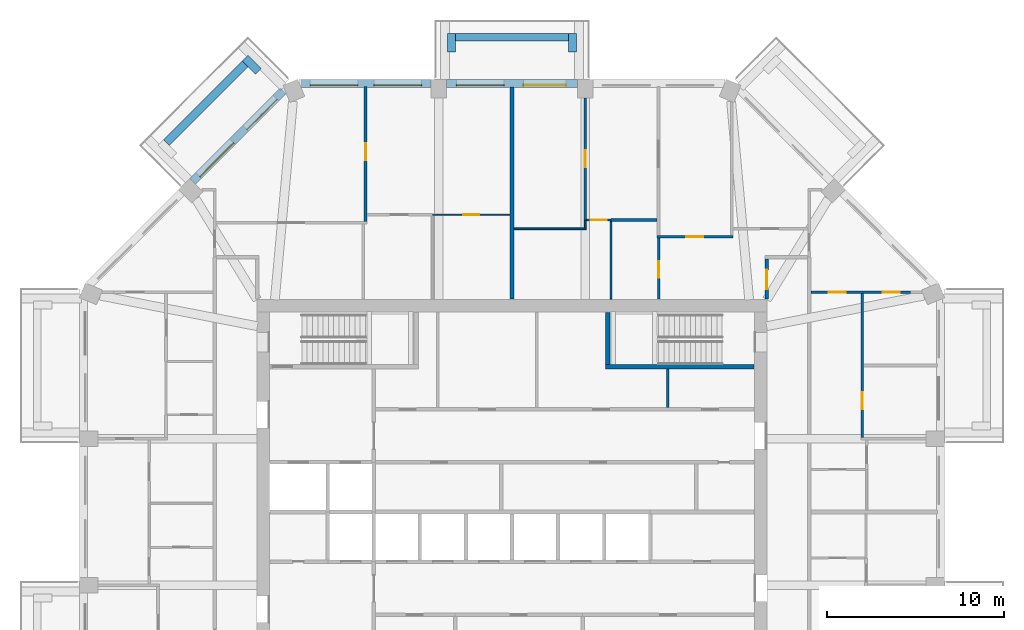
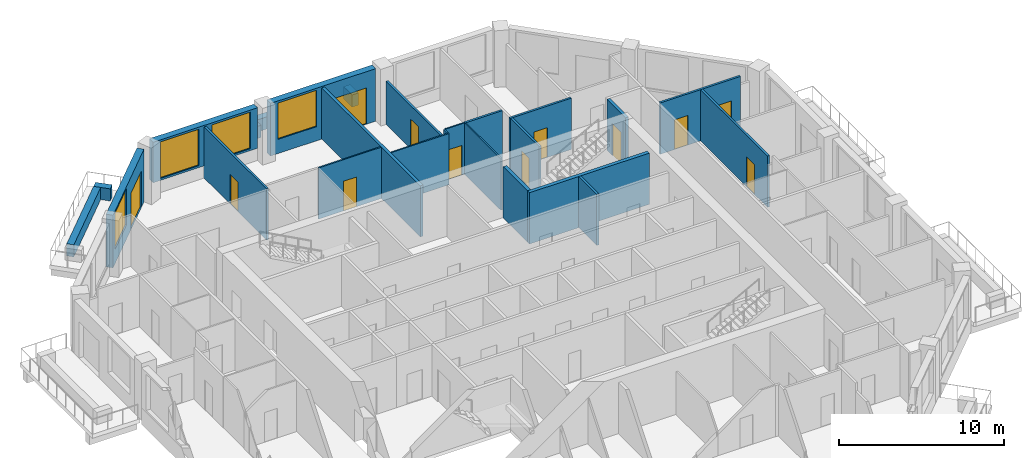
# One storey, part 8 of 12: 25 walls, 12 doors, 4 windows, 16 openings.
"""IFC4 building model written with IfcOpenShell, lengths in metres."""

from ifc_helpers import new_model, si_unit, direction, frame, frame_2d, origin, place, context, subcontext, project, spatial, rectangle, extrude, material, layer, layer_set, type_object, element, fill, save


model = new_model("IFC4")

# Units and contexts
model_context = context("Model", 3, precision=1e-05, world=origin(), true_north=direction((0.0, 1.0)))
body_context = subcontext(model_context, "Body", "Model", "MODEL_VIEW")
ifc_project = project(units=[si_unit("LENGTHUNIT", "METRE"), si_unit("AREAUNIT", "SQUARE_METRE"), si_unit("VOLUMEUNIT", "CUBIC_METRE"), si_unit("PLANEANGLEUNIT", "RADIAN"), si_unit("MASSUNIT", "GRAM", prefix="KILO")], contexts=[model_context])

# Site, building, storey
site_placement = place(None, origin())
site = spatial("IfcSite", under=ifc_project, at=site_placement, CompositionType="ELEMENT")
building_placement = place(site_placement, origin())
building = spatial("IfcBuilding", under=site, at=building_placement, Name="Msitu Wima Residences", CompositionType="ELEMENT")
storey_placement = place(building_placement, frame((0.0, 0.0, 200.10009765625)))
storey = spatial("IfcBuildingStorey", under=building, at=storey_placement, Name="L46", CompositionType="ELEMENT", Elevation=200.10009765625)

# Walls
ifc_material_1 = material(Name="Facing brick")
ifc_layer_1 = layer(ifc_material_1, 0.06494140625, Name="Facing brick")
ifc_material_2 = material(Name="Concrete C40/50", Category="concrete")
ifc_layer_2 = layer(ifc_material_2, 0.156005859375, Name="Concrete C40/50")
ifc_material_3 = material(Name="Waterproofing membrane")
ifc_layer_3 = layer(ifc_material_3, 0.00390625, Name="Waterproofing membrane")
ifc_material_4 = material(Name="Planting soil and planting")
ifc_layer_4 = layer(ifc_material_4, 0.22509765625, Name="Planting soil and planting")
ifc_layer_set_1 = layer_set([ifc_layer_1, ifc_layer_2, ifc_layer_3, ifc_layer_4], Name="Concrete C40/50")
wall_type_1 = type_object("IfcWallType", Name="Balcony planter PLANTER PL450", PredefinedType="USERDEFINED", material=ifc_layer_set_1)
wall_1_placement = place(storey_placement, frame((3.187255859375, 26.824951171875, 0.0), z_axis=(0.0, 0.0, 1.0), x_axis=(-1.0, 0.0, 0.0)))
element("IfcWall", 1, at=wall_1_placement, inside=storey, type_object=wall_type_1, Name="Balcony planter N1 L46", ObjectType="PLANTER", PredefinedType="USERDEFINED", context=body_context, shape_type="SweptSolid", body=[
    extrude(rectangle(XDim=6.37451171875, YDim=0.449951171875, at=frame_2d((3.187255859375, 0.0))), origin(), (0.0, 0.0, 1.0), 0.89990234375),
])
for number, where, z_axis, x_axis, name in (
    (2, (3.412353515625, 26.0, 0.0), (0.0, 0.0, 1.0), (0.0, 1.0, 0.0), "Balcony planter N1 L46"),
    (3, (-3.412353515625, 26.0, 0.0), (0.0, 0.0, 1.0), (0.0, 1.0, 0.0), "Balcony planter N1 L46"),
):
    element("IfcWall", number, at=place(storey_placement, frame(where, z_axis=z_axis, x_axis=x_axis)), inside=storey, type_object=wall_type_1, Name=name, ObjectType="PLANTER", PredefinedType="USERDEFINED", context=body_context, shape_type="SweptSolid", body=[
        extrude(rectangle(XDim=1.050048828125, YDim=0.449951171875, at=frame_2d((0.52490234375, 0.0))), origin(), (0.0, 0.0, 1.0), 0.89990234375),
    ])
wall_2_placement = place(storey_placement, frame((-15.0810546875, 25.325927734375, 0.0), z_axis=(0.0, 0.0, 1.0), x_axis=(-0.707106781187, -0.707106781187, 0.0)))
element("IfcWall", 4, at=wall_2_placement, inside=storey, type_object=wall_type_1, Name="Balcony planter NW0 L46", ObjectType="PLANTER", PredefinedType="USERDEFINED", context=body_context, shape_type="SweptSolid", body=[
    extrude(rectangle(XDim=6.294189453125, YDim=0.449951171875, at=frame_2d((3.14697265625, 0.0))), origin(), (0.0, 0.0, 1.0), 0.89990234375),
])
wall_3_placement = place(storey_placement, frame((-14.338623046875, 24.901611328125, 0.0), z_axis=(0.0, 0.0, 1.0), x_axis=(-0.707106781187, 0.707106781187, 0.0)))
element("IfcWall", 5, at=wall_3_placement, inside=storey, type_object=wall_type_1, Name="Balcony planter NW0 L46", ObjectType="PLANTER", PredefinedType="USERDEFINED", context=body_context, shape_type="SweptSolid", body=[
    extrude(rectangle(XDim=1.050048828125, YDim=0.449951171875, at=frame_2d((0.52490234375, 0.0))), origin(), (0.0, 0.0, 1.0), 0.89990234375),
])

# Wall, openings, door, window
ifc_material_5 = material(Name="Brick (red buff mix)", Category="masonry")
ifc_layer_5 = layer(ifc_material_5, 0.449951171875)
ifc_layer_set_2 = layer_set([ifc_layer_5], Name="Brick (red buff mix)")
wall_type_2 = type_object("IfcWallType", Name="Brick infill wall BW450", PredefinedType="SOLIDWALL", material=ifc_layer_set_2)
wall_4_placement = place(storey_placement, frame((3.687255859375, 24.22509765625, 0.0), z_axis=(0.0, 0.0, 1.0), x_axis=(-1.0, 0.0, 0.0)))
wall_4 = element("IfcWall", 6, at=wall_4_placement, inside=storey, type_object=wall_type_2, Name="Brick infill wall L46 N1", PredefinedType="SOLIDWALL", context=body_context, shape_type="SweptSolid", body=[
    extrude(rectangle(XDim=7.37451171875, YDim=0.449951171875, at=frame_2d((3.687255859375, 0.0))), origin(), (0.0, 0.0, 1.0), 3.89990234375),
])
opening_1_placement = place(wall_4_placement, frame((0.6435546875, 0.0, 0.0)))
opening_1 = element("IfcOpeningElement", 7, at=opening_1_placement, cuts=wall_4, Name="Opening D46.003", PredefinedType="OPENING", context=body_context, shape_type="SweptSolid", body=[
    extrude(rectangle(XDim=2.39990234375, YDim=2.699951171875, at=frame_2d((1.199951171875, 1.35009765625))), frame((0.0, 0.23486328125, 0.0), z_axis=(0.0, -1.0, 0.0), x_axis=(1.0, 0.0, 0.0)), (0.0, 0.0, 1.0), 0.469970703125),
])
opening_2_placement = place(wall_4_placement, frame((4.13720703125, 0.0, 1.050048828125)))
opening_2 = element("IfcOpeningElement", 8, at=opening_2_placement, cuts=wall_4, Name="Opening W46.007", PredefinedType="OPENING", context=body_context, shape_type="SweptSolid", body=[
    extrude(rectangle(XDim=2.699951171875, YDim=2.699951171875, at=frame_2d((1.35009765625, 1.35009765625))), frame((0.0, 0.23486328125, 0.0), z_axis=(0.0, -1.0, 0.0), x_axis=(1.0, 0.0, 0.0)), (0.0, 0.0, 1.0), 0.469970703125),
])
ifc_material_6 = material(Name="Anodised aluminium, bronze finish, clear low-emissivity double glazing", Category="aluminium")
door_type_1 = type_object("IfcDoorType", Name="Balcony door D2400x2700", OperationType="SLIDING_TO_LEFT", PredefinedType="DOOR", material=ifc_material_6)
door_1_placement = place(opening_1_placement, origin())
door_1 = element("IfcDoor", 9, at=door_1_placement, inside=storey, type_object=door_type_1, Name="Balcony door L46 N1", OperationType="SINGLE_SWING_LEFT", OverallHeight=2.699951171875, OverallWidth=2.39990234375, PredefinedType="DOOR", context=body_context, shape_type="SweptSolid", body=[
    extrude(rectangle(XDim=2.39990234375, YDim=2.699951171875, at=frame_2d((1.199951171875, 1.35009765625))), frame((0.0, 0.1298828125, 0.0), z_axis=(0.0, -1.0, 0.0), x_axis=(1.0, 0.0, 0.0)), (0.0, 0.0, 1.0), 0.050048828125),
])
fill(opening_1, door_1)
window_type = type_object("IfcWindowType", Name="Window W2700x2700", PartitioningType="DOUBLE_PANEL_VERTICAL", PredefinedType="WINDOW", material=ifc_material_6)
window_1_placement = place(opening_2_placement, origin())
window_1 = element("IfcWindow", 10, at=window_1_placement, inside=storey, type_object=window_type, Name="Window L46 N1.2", OverallHeight=2.699951171875, OverallWidth=2.699951171875, PartitioningType="SINGLE_PANEL", PredefinedType="WINDOW", context=body_context, shape_type="SweptSolid", body=[
    extrude(rectangle(XDim=2.699951171875, YDim=2.699951171875, at=frame_2d((1.35009765625, 1.35009765625))), frame((0.0, 0.135009765625, 0.0), z_axis=(0.0, -1.0, 0.0), x_axis=(1.0, 0.0, 0.0)), (0.0, 0.0, 1.0), 0.06005859375),
])
fill(opening_2, window_1)

# Wall, openings, windows
wall_5_placement = place(storey_placement, frame((-4.587158203125, 24.22509765625, 0.89990234375), z_axis=(0.0, 0.0, 1.0), x_axis=(-1.0, 0.0, 0.0)))
wall_5 = element("IfcWall", 11, at=wall_5_placement, inside=storey, type_object=wall_type_2, Name="Brick infill wall L46 N2", PredefinedType="SOLIDWALL", context=body_context, shape_type="SweptSolid", body=[
    extrude(rectangle(XDim=7.337646484375, YDim=0.449951171875, at=frame_2d((3.6689453125, 0.0))), origin(), (0.0, 0.0, 1.0), 3.0),
])
opening_3_placement = place(wall_5_placement, frame((0.518798828125, 0.0, 0.14990234375)))
opening_3 = element("IfcOpeningElement", 12, at=opening_3_placement, cuts=wall_5, Name="Opening W46.008", PredefinedType="OPENING", context=body_context, shape_type="SweptSolid", body=[
    extrude(rectangle(XDim=2.699951171875, YDim=2.699951171875, at=frame_2d((1.35009765625, 1.35009765625))), frame((0.0, 0.23486328125, 0.0), z_axis=(0.0, -1.0, 0.0), x_axis=(1.0, 0.0, 0.0)), (0.0, 0.0, 1.0), 0.469970703125),
])
opening_4_placement = place(wall_5_placement, frame((4.11865234375, 0.0, 0.14990234375)))
opening_4 = element("IfcOpeningElement", 13, at=opening_4_placement, cuts=wall_5, Name="Opening W46.009", PredefinedType="OPENING", context=body_context, shape_type="SweptSolid", body=[
    extrude(rectangle(XDim=2.699951171875, YDim=2.699951171875, at=frame_2d((1.35009765625, 1.35009765625))), frame((0.0, 0.23486328125, 0.0), z_axis=(0.0, -1.0, 0.0), x_axis=(1.0, 0.0, 0.0)), (0.0, 0.0, 1.0), 0.469970703125),
])
window_2_placement = place(opening_3_placement, origin())
window_2 = element("IfcWindow", 14, at=window_2_placement, inside=storey, type_object=window_type, Name="Window L46 N2.1", OverallHeight=2.699951171875, OverallWidth=2.699951171875, PartitioningType="SINGLE_PANEL", PredefinedType="WINDOW", context=body_context, shape_type="SweptSolid", body=[
    extrude(rectangle(XDim=2.699951171875, YDim=2.699951171875, at=frame_2d((1.35009765625, 1.35009765625))), frame((0.0, 0.135009765625, 0.0), z_axis=(0.0, -1.0, 0.0), x_axis=(1.0, 0.0, 0.0)), (0.0, 0.0, 1.0), 0.06005859375),
])
fill(opening_3, window_2)
window_3_placement = place(opening_4_placement, origin())
window_3 = element("IfcWindow", 15, at=window_3_placement, inside=storey, type_object=window_type, Name="Window L46 N2.2", OverallHeight=2.699951171875, OverallWidth=2.699951171875, PartitioningType="SINGLE_PANEL", PredefinedType="WINDOW", context=body_context, shape_type="SweptSolid", body=[
    extrude(rectangle(XDim=2.699951171875, YDim=2.699951171875, at=frame_2d((1.35009765625, 1.35009765625))), frame((0.0, 0.135009765625, 0.0), z_axis=(0.0, -1.0, 0.0), x_axis=(1.0, 0.0, 0.0)), (0.0, 0.0, 1.0), 0.06005859375),
])
fill(opening_4, window_3)

# Wall, openings, door, window
wall_6_placement = place(storey_placement, frame((-12.915283203125, 23.814697265625, 0.0), z_axis=(0.0, 0.0, 1.0), x_axis=(-0.707106781187, -0.707106781187, 0.0)))
wall_6 = element("IfcWall", 16, at=wall_6_placement, inside=storey, type_object=wall_type_2, Name="Brick infill wall L46 NW0", PredefinedType="SOLIDWALL", context=body_context, shape_type="SweptSolid", body=[
    extrude(rectangle(XDim=7.257080078125, YDim=0.449951171875, at=frame_2d((3.62841796875, 0.0))), origin(), (0.0, 0.0, 1.0), 3.89990234375),
])
opening_5_placement = place(wall_6_placement, frame((0.6142578125, 0.0, 0.0)))
opening_5 = element("IfcOpeningElement", 17, at=opening_5_placement, cuts=wall_6, Name="Opening D46.005", PredefinedType="OPENING", context=body_context, shape_type="SweptSolid", body=[
    extrude(rectangle(XDim=2.39990234375, YDim=2.699951171875, at=frame_2d((1.199951171875, 1.35009765625))), frame((0.0, 0.23486328125, 0.0), z_axis=(0.0, -1.0, 0.0), x_axis=(1.0, 0.0, 0.0)), (0.0, 0.0, 1.0), 0.469970703125),
])
opening_6_placement = place(wall_6_placement, frame((4.07861328125, 0.0, 1.050048828125)))
opening_6 = element("IfcOpeningElement", 18, at=opening_6_placement, cuts=wall_6, Name="Opening W46.013", PredefinedType="OPENING", context=body_context, shape_type="SweptSolid", body=[
    extrude(rectangle(XDim=2.699951171875, YDim=2.699951171875, at=frame_2d((1.35009765625, 1.35009765625))), frame((0.0, 0.23486328125, 0.0), z_axis=(0.0, -1.0, 0.0), x_axis=(1.0, 0.0, 0.0)), (0.0, 0.0, 1.0), 0.469970703125),
])
door_2_placement = place(opening_5_placement, origin())
door_2 = element("IfcDoor", 19, at=door_2_placement, inside=storey, type_object=door_type_1, Name="Balcony door L46 NW0", OperationType="SINGLE_SWING_LEFT", OverallHeight=2.699951171875, OverallWidth=2.39990234375, PredefinedType="DOOR", context=body_context, shape_type="SweptSolid", body=[
    extrude(rectangle(XDim=2.39990234375, YDim=2.699951171875, at=frame_2d((1.199951171875, 1.35009765625))), frame((0.0, 0.1298828125, 0.0), z_axis=(0.0, -1.0, 0.0), x_axis=(1.0, 0.0, 0.0)), (0.0, 0.0, 1.0), 0.050048828125),
])
fill(opening_5, door_2)
window_4_placement = place(opening_6_placement, origin())
window_4 = element("IfcWindow", 20, at=window_4_placement, inside=storey, type_object=window_type, Name="Window L46 NW0.2", OverallHeight=2.699951171875, OverallWidth=2.699951171875, PartitioningType="SINGLE_PANEL", PredefinedType="WINDOW", context=body_context, shape_type="SweptSolid", body=[
    extrude(rectangle(XDim=2.699951171875, YDim=2.699951171875, at=frame_2d((1.35009765625, 1.35009765625))), frame((0.0, 0.135009765625, 0.0), z_axis=(0.0, -1.0, 0.0), x_axis=(1.0, 0.0, 0.0)), (0.0, 0.0, 1.0), 0.06005859375),
])
fill(opening_6, window_4)

# Wall, opening, door
ifc_material_7 = material(Name="Plaster")
ifc_layer_6 = layer(ifc_material_7, 0.011962890625, Name="Plaster")
ifc_material_8 = material(Name="Concrete blockwork", Category="masonry")
ifc_layer_7 = layer(ifc_material_8, 0.176025390625, Name="Concrete blockwork")
ifc_layer_8 = layer(ifc_material_7, 0.011962890625, Name="Plaster")
ifc_layer_set_3 = layer_set([ifc_layer_6, ifc_layer_7, ifc_layer_8], Name="Concrete blockwork")
wall_type_3 = type_object("IfcWallType", Name="Corridor wall FW200", PredefinedType="PARTITIONING", material=ifc_layer_set_3)
wall_7_placement = place(storey_placement, frame((14.39990234375, 12.030029296875, 0.0), z_axis=(0.0, 0.0, 1.0), x_axis=(0.0, 1.0, 0.0)))
wall_7 = element("IfcWall", 21, at=wall_7_placement, inside=storey, type_object=wall_type_3, Name="Corridor wall", PredefinedType="PARTITIONING", context=body_context, shape_type="SweptSolid", body=[
    extrude(rectangle(XDim=2.27001953125, YDim=0.199951171875, at=frame_2d((1.135009765625, 0.0))), origin(), (0.0, 0.0, 1.0), 3.7978515625),
])
opening_7_placement = place(wall_7_placement, frame((0.550048828125, 0.0, 0.0)))
opening_7 = element("IfcOpeningElement", 22, at=opening_7_placement, cuts=wall_7, Name="Opening D46.011", PredefinedType="OPENING", context=body_context, shape_type="SweptSolid", body=[
    extrude(rectangle(XDim=1.10009765625, YDim=2.39990234375, at=frame_2d((0.550048828125, 1.199951171875))), frame((0.0, 0.10986328125, 0.0), z_axis=(0.0, -1.0, 0.0), x_axis=(1.0, 0.0, 0.0)), (0.0, 0.0, 1.0), 0.219970703125),
])
ifc_material_9 = material(Name="Timber flush door, fire resisting, self-closing", Category="wood")
door_type_2 = type_object("IfcDoorType", Name="Flat entrance door D01 1100x2400", OperationType="SINGLE_SWING_LEFT", PredefinedType="DOOR", material=ifc_material_9)
door_3_placement = place(opening_7_placement, origin())
door_3 = element("IfcDoor", 23, at=door_3_placement, inside=storey, type_object=door_type_2, Name="Flat entrance door", OperationType="SINGLE_SWING_LEFT", OverallHeight=2.39990234375, OverallWidth=1.10009765625, PredefinedType="DOOR", context=body_context, shape_type="SweptSolid", body=[
    extrude(rectangle(XDim=1.10009765625, YDim=2.39990234375, at=frame_2d((0.550048828125, 1.199951171875))), frame((0.0, 0.02490234375, 0.0), z_axis=(0.0, -1.0, 0.0), x_axis=(1.0, 0.0, 0.0)), (0.0, 0.0, 1.0), 0.050048828125),
])
fill(opening_7, door_3)

ifc_layer_9 = layer(ifc_material_7, 0.011962890625, Name="Plaster")
ifc_layer_10 = layer(ifc_material_8, 0.1259765625, Name="Concrete blockwork")
ifc_layer_11 = layer(ifc_material_7, 0.011962890625, Name="Plaster")
ifc_layer_set_4 = layer_set([ifc_layer_9, ifc_layer_10, ifc_layer_11], Name="Concrete blockwork")
wall_type_4 = type_object("IfcWallType", Name="Partition PW150", PredefinedType="PARTITIONING", material=ifc_layer_set_4)
wall_8_placement = place(storey_placement, frame((-8.2744140625, 16.425048828125, 0.0), z_axis=(0.0, 0.0, 1.0), x_axis=(0.0, 1.0, 0.0)))
wall_8 = element("IfcWall", 24, at=wall_8_placement, inside=storey, type_object=wall_type_4, Name="Partition", PredefinedType="PARTITIONING", context=body_context, shape_type="SweptSolid", body=[
    extrude(rectangle(XDim=7.6298828125, YDim=0.14990234375, at=frame_2d((3.81494140625, 0.0))), origin(), (0.0, 0.0, 1.0), 3.7978515625),
])
opening_8_placement = place(wall_8_placement, frame((3.449951171875, 0.0, 0.0)))
opening_8 = element("IfcOpeningElement", 25, at=opening_8_placement, cuts=wall_8, Name="Opening D46.032", PredefinedType="OPENING", context=body_context, shape_type="SweptSolid", body=[
    extrude(rectangle(XDim=0.949951171875, YDim=2.199951171875, at=frame_2d((0.47509765625, 1.10009765625))), frame((0.0, 0.0849609375, 0.0), z_axis=(0.0, -1.0, 0.0), x_axis=(1.0, 0.0, 0.0)), (0.0, 0.0, 1.0), 0.169921875),
])
ifc_material_10 = material(Name="Timber flush door", Category="wood")
door_type_3 = type_object("IfcDoorType", Name="Room door D12 950x2200", OperationType="SINGLE_SWING_LEFT", PredefinedType="DOOR", material=ifc_material_10)
door_4_placement = place(opening_8_placement, origin())
door_4 = element("IfcDoor", 26, at=door_4_placement, inside=storey, type_object=door_type_3, Name="Room door", OperationType="SINGLE_SWING_LEFT", OverallHeight=2.199951171875, OverallWidth=0.949951171875, PredefinedType="DOOR", context=body_context, shape_type="SweptSolid", body=[
    extrude(rectangle(XDim=0.949951171875, YDim=2.199951171875, at=frame_2d((0.47509765625, 1.10009765625))), frame((0.0, 0.02490234375, 0.0), z_axis=(0.0, -1.0, 0.0), x_axis=(1.0, 0.0, 0.0)), (0.0, 0.0, 1.0), 0.050048828125),
])
fill(opening_8, door_4)

wall_9_placement = place(storey_placement, frame((4.13720703125, 16.47998046875, 0.0), z_axis=(0.0, 0.0, 1.0), x_axis=(0.0, 1.0, 0.0)))
wall_9 = element("IfcWall", 27, at=wall_9_placement, inside=storey, type_object=wall_type_4, Name="Partition", PredefinedType="PARTITIONING", context=body_context, shape_type="SweptSolid", body=[
    extrude(rectangle(XDim=6.919921875, YDim=0.14990234375, at=frame_2d((3.4599609375, 0.0))), origin(), (0.0, 0.0, 1.0), 3.199951171875),
])
opening_9_placement = place(wall_9_placement, frame((3.0, 0.0, 0.0)))
opening_9 = element("IfcOpeningElement", 28, at=opening_9_placement, cuts=wall_9, Name="Opening D46.014", PredefinedType="OPENING", context=body_context, shape_type="SweptSolid", body=[
    extrude(rectangle(XDim=0.949951171875, YDim=2.199951171875, at=frame_2d((0.47509765625, 1.10009765625))), frame((0.0, 0.0849609375, 0.0), z_axis=(0.0, -1.0, 0.0), x_axis=(1.0, 0.0, 0.0)), (0.0, 0.0, 1.0), 0.169921875),
])
door_5_placement = place(opening_9_placement, origin())
door_5 = element("IfcDoor", 29, at=door_5_placement, inside=storey, type_object=door_type_3, Name="Room door", OperationType="SINGLE_SWING_RIGHT", OverallHeight=2.199951171875, OverallWidth=0.949951171875, PredefinedType="DOOR", context=body_context, shape_type="SweptSolid", body=[
    extrude(rectangle(XDim=0.949951171875, YDim=2.199951171875, at=frame_2d((0.47509765625, 1.10009765625))), frame((0.0, 0.02490234375, 0.0), z_axis=(0.0, -1.0, 0.0), x_axis=(1.0, 0.0, 0.0)), (0.0, 0.0, 1.0), 0.050048828125),
])
fill(opening_9, door_5)

# Wall
wall_10_placement = place(storey_placement, frame((5.60009765625, 16.5, 0.0), z_axis=(0.0, 0.0, 1.0), x_axis=(1.0, 0.0, 0.0)))
element("IfcWall", 30, at=wall_10_placement, inside=storey, type_object=wall_type_4, Name="Partition", PredefinedType="PARTITIONING", context=body_context, shape_type="SweptSolid", body=[
    extrude(rectangle(XDim=2.599365234375, YDim=0.14990234375, at=frame_2d((1.2998046875, 0.0))), origin(), (0.0, 0.0, 1.0), 3.7978515625),
])

# Wall, opening, door
wall_11_placement = place(storey_placement, frame((8.199462890625, 15.550048828125, 0.0), z_axis=(0.0, 0.0, 1.0), x_axis=(1.0, 0.0, 0.0)))
wall_11 = element("IfcWall", 31, at=wall_11_placement, inside=storey, type_object=wall_type_4, Name="Partition", PredefinedType="PARTITIONING", context=body_context, shape_type="SweptSolid", body=[
    extrude(rectangle(XDim=4.287353515625, YDim=0.14990234375, at=frame_2d((2.1435546875, 0.0))), origin(), (0.0, 0.0, 1.0), 3.7978515625),
])
opening_10_placement = place(wall_11_placement, frame((1.64990234375, 0.0, 0.0)))
opening_10 = element("IfcOpeningElement", 32, at=opening_10_placement, cuts=wall_11, Name="Opening D46.016", PredefinedType="OPENING", context=body_context, shape_type="SweptSolid", body=[
    extrude(rectangle(XDim=0.949951171875, YDim=2.199951171875, at=frame_2d((0.47509765625, 1.10009765625))), frame((0.0, 0.0849609375, 0.0), z_axis=(0.0, -1.0, 0.0), x_axis=(1.0, 0.0, 0.0)), (0.0, 0.0, 1.0), 0.169921875),
])
door_6_placement = place(opening_10_placement, origin())
door_6 = element("IfcDoor", 33, at=door_6_placement, inside=storey, type_object=door_type_3, Name="Room door", OperationType="SINGLE_SWING_LEFT", OverallHeight=2.199951171875, OverallWidth=0.949951171875, PredefinedType="DOOR", context=body_context, shape_type="SweptSolid", body=[
    extrude(rectangle(XDim=0.949951171875, YDim=2.199951171875, at=frame_2d((0.47509765625, 1.10009765625))), frame((0.0, 0.02490234375, 0.0), z_axis=(0.0, -1.0, 0.0), x_axis=(1.0, 0.0, 0.0)), (0.0, 0.0, 1.0), 0.050048828125),
])
fill(opening_10, door_6)

wall_12_placement = place(storey_placement, frame((8.300048828125, 12.030029296875, 0.0), z_axis=(0.0, 0.0, 1.0), x_axis=(0.0, 1.0, 0.0)))
wall_12 = element("IfcWall", 34, at=wall_12_placement, inside=storey, type_object=wall_type_4, Name="Partition", PredefinedType="PARTITIONING", context=body_context, shape_type="SweptSolid", body=[
    extrude(rectangle(XDim=3.445068359375, YDim=0.14990234375, at=frame_2d((1.72265625, 0.0))), origin(), (0.0, 0.0, 1.0), 3.7978515625),
])
opening_11_placement = place(wall_12_placement, frame((1.199951171875, 0.0, 0.0)))
opening_11 = element("IfcOpeningElement", 35, at=opening_11_placement, cuts=wall_12, Name="Opening D46.012", PredefinedType="OPENING", context=body_context, shape_type="SweptSolid", body=[
    extrude(rectangle(XDim=0.949951171875, YDim=2.199951171875, at=frame_2d((0.47509765625, 1.10009765625))), frame((0.0, 0.0849609375, 0.0), z_axis=(0.0, -1.0, 0.0), x_axis=(1.0, 0.0, 0.0)), (0.0, 0.0, 1.0), 0.169921875),
])
door_7_placement = place(opening_11_placement, origin())
door_7 = element("IfcDoor", 36, at=door_7_placement, inside=storey, type_object=door_type_3, Name="Room door", OperationType="SINGLE_SWING_LEFT", OverallHeight=2.199951171875, OverallWidth=0.949951171875, PredefinedType="DOOR", context=body_context, shape_type="SweptSolid", body=[
    extrude(rectangle(XDim=0.949951171875, YDim=2.199951171875, at=frame_2d((0.47509765625, 1.10009765625))), frame((0.0, 0.02490234375, 0.0), z_axis=(0.0, -1.0, 0.0), x_axis=(1.0, 0.0, 0.0)), (0.0, 0.0, 1.0), 0.050048828125),
])
fill(opening_11, door_7)

# Wall
wall_13_placement = place(storey_placement, frame((8.800048828125, 5.89990234375, 0.0), z_axis=(0.0, 0.0, 1.0), x_axis=(0.0, 1.0, 0.0)))
element("IfcWall", 37, at=wall_13_placement, inside=storey, type_object=wall_type_4, Name="Partition", PredefinedType="PARTITIONING", context=body_context, shape_type="SweptSolid", body=[
    extrude(rectangle(XDim=2.175048828125, YDim=0.14990234375, at=frame_2d((1.08740234375, 0.0))), origin(), (0.0, 0.0, 1.0), 3.7978515625),
])

# Wall, openings, doors
wall_14_placement = place(storey_placement, frame((16.89990234375, 12.409912109375, 0.0), z_axis=(0.0, 0.0, 1.0), x_axis=(1.0, 0.0, 0.0)))
wall_14 = element("IfcWall", 38, at=wall_14_placement, inside=storey, type_object=wall_type_4, Name="Partition", PredefinedType="PARTITIONING", context=body_context, shape_type="SweptSolid", body=[
    extrude(rectangle(XDim=5.62939453125, YDim=0.14990234375, at=frame_2d((2.814697265625, 0.0))), origin(), (0.0, 0.0, 1.0), 3.7978515625),
])
opening_12_placement = place(wall_14_placement, frame((1.0, 0.0, 0.0)))
opening_12 = element("IfcOpeningElement", 39, at=opening_12_placement, cuts=wall_14, Name="Opening D46.020", PredefinedType="OPENING", context=body_context, shape_type="SweptSolid", body=[
    extrude(rectangle(XDim=0.949951171875, YDim=2.199951171875, at=frame_2d((0.47509765625, 1.10009765625))), frame((0.0, 0.0849609375, 0.0), z_axis=(0.0, -1.0, 0.0), x_axis=(1.0, 0.0, 0.0)), (0.0, 0.0, 1.0), 0.169921875),
])
opening_13_placement = place(wall_14_placement, frame((4.050048828125, 0.0, 0.0)))
opening_13 = element("IfcOpeningElement", 40, at=opening_13_placement, cuts=wall_14, Name="Opening D46.023", PredefinedType="OPENING", context=body_context, shape_type="SweptSolid", body=[
    extrude(rectangle(XDim=0.949951171875, YDim=2.199951171875, at=frame_2d((0.47509765625, 1.10009765625))), frame((0.0, 0.0849609375, 0.0), z_axis=(0.0, -1.0, 0.0), x_axis=(1.0, 0.0, 0.0)), (0.0, 0.0, 1.0), 0.169921875),
])
door_8_placement = place(opening_12_placement, origin())
door_8 = element("IfcDoor", 41, at=door_8_placement, inside=storey, type_object=door_type_3, Name="Room door", OperationType="SINGLE_SWING_LEFT", OverallHeight=2.199951171875, OverallWidth=0.949951171875, PredefinedType="DOOR", context=body_context, shape_type="SweptSolid", body=[
    extrude(rectangle(XDim=0.949951171875, YDim=2.199951171875, at=frame_2d((0.47509765625, 1.10009765625))), frame((0.0, 0.02490234375, 0.0), z_axis=(0.0, -1.0, 0.0), x_axis=(1.0, 0.0, 0.0)), (0.0, 0.0, 1.0), 0.050048828125),
])
fill(opening_12, door_8)
door_9_placement = place(opening_13_placement, origin())
door_9 = element("IfcDoor", 42, at=door_9_placement, inside=storey, type_object=door_type_3, Name="Room door", OperationType="SINGLE_SWING_RIGHT", OverallHeight=2.199951171875, OverallWidth=0.949951171875, PredefinedType="DOOR", context=body_context, shape_type="SweptSolid", body=[
    extrude(rectangle(XDim=0.949951171875, YDim=2.199951171875, at=frame_2d((0.47509765625, 1.10009765625))), frame((0.0, 0.02490234375, 0.0), z_axis=(0.0, -1.0, 0.0), x_axis=(1.0, 0.0, 0.0)), (0.0, 0.0, 1.0), 0.050048828125),
])
fill(opening_13, door_9)

# Wall, opening, door
wall_15_placement = place(storey_placement, frame((19.800048828125, 4.212158203125, 0.0), z_axis=(0.0, 0.0, 1.0), x_axis=(0.0, 1.0, 0.0)))
wall_15 = element("IfcWall", 43, at=wall_15_placement, inside=storey, type_object=wall_type_4, Name="Partition", PredefinedType="PARTITIONING", context=body_context, shape_type="SweptSolid", body=[
    extrude(rectangle(XDim=8.12451171875, YDim=0.14990234375, at=frame_2d((4.062255859375, 0.0))), origin(), (0.0, 0.0, 1.0), 3.7978515625),
])
opening_14_placement = place(wall_15_placement, frame((1.60009765625, 0.0, 0.0)))
opening_14 = element("IfcOpeningElement", 44, at=opening_14_placement, cuts=wall_15, Name="Opening D46.022", PredefinedType="OPENING", context=body_context, shape_type="SweptSolid", body=[
    extrude(rectangle(XDim=0.949951171875, YDim=2.199951171875, at=frame_2d((0.47509765625, 1.10009765625))), frame((0.0, 0.0849609375, 0.0), z_axis=(0.0, -1.0, 0.0), x_axis=(1.0, 0.0, 0.0)), (0.0, 0.0, 1.0), 0.169921875),
])
door_10_placement = place(opening_14_placement, origin())
door_10 = element("IfcDoor", 45, at=door_10_placement, inside=storey, type_object=door_type_3, Name="Room door", OperationType="SINGLE_SWING_LEFT", OverallHeight=2.199951171875, OverallWidth=0.949951171875, PredefinedType="DOOR", context=body_context, shape_type="SweptSolid", body=[
    extrude(rectangle(XDim=0.949951171875, YDim=2.199951171875, at=frame_2d((0.47509765625, 1.10009765625))), frame((0.0, 0.02490234375, 0.0), z_axis=(0.0, -1.0, 0.0), x_axis=(1.0, 0.0, 0.0)), (0.0, 0.0, 1.0), 0.050048828125),
])
fill(opening_14, door_10)

# Walls
ifc_layer_12 = layer(ifc_material_7, 0.011962890625, Name="Plaster")
ifc_material_11 = material(Name="Dense concrete blockwork", Category="masonry")
ifc_layer_13 = layer(ifc_material_11, 0.176025390625, Name="Dense concrete blockwork")
ifc_layer_14 = layer(ifc_material_7, 0.011962890625, Name="Plaster")
ifc_layer_set_5 = layer_set([ifc_layer_12, ifc_layer_13, ifc_layer_14], Name="Dense concrete blockwork")
wall_type_5 = type_object("IfcWallType", Name="Party wall PW200", PredefinedType="PARTITIONING", material=ifc_layer_set_5)
wall_16_placement = place(storey_placement, frame((0.0, 12.030029296875, 0.0), z_axis=(0.0, 0.0, 1.0), x_axis=(0.0, 1.0, 0.0)))
element("IfcWall", 46, at=wall_16_placement, inside=storey, type_object=wall_type_5, Name="Party wall", PredefinedType="PARTITIONING", context=body_context, shape_type="SweptSolid", body=[
    extrude(rectangle(XDim=11.994873046875, YDim=0.199951171875, at=frame_2d((5.99755859375, 0.0))), origin(), (0.0, 0.0, 1.0), 3.7978515625),
])
ifc_material_12 = material(Name="Concrete C50/60", Category="concrete")
ifc_layer_15 = layer(ifc_material_12, 0.25)
ifc_layer_set_6 = layer_set([ifc_layer_15], Name="Concrete C50/60")
wall_type_6 = type_object("IfcWallType", Name="Stair enclosure wall SW250", PredefinedType="SHEAR", material=ifc_layer_set_6)
wall_17_placement = place(storey_placement, frame((5.39990234375, 8.324951171875, 0.0), z_axis=(0.0, 0.0, 1.0), x_axis=(0.0, 1.0, 0.0)))
element("IfcWall", 47, at=wall_17_placement, inside=storey, type_object=wall_type_6, Name="Stair enclosure wall", PredefinedType="SHEAR", context=body_context, shape_type="SweptSolid", body=[
    extrude(rectangle(XDim=2.945068359375, YDim=0.25, at=frame_2d((1.47265625, 0.0))), origin(), (0.0, 0.0, 1.0), 3.7978515625),
])
wall_18_placement = place(storey_placement, frame((5.27490234375, 8.199951171875, 0.0), z_axis=(0.0, 0.0, 1.0), x_axis=(1.0, 0.0, 0.0)))
element("IfcWall", 48, at=wall_18_placement, inside=storey, type_object=wall_type_6, Name="Stair enclosure wall", PredefinedType="SHEAR", context=body_context, shape_type="SweptSolid", body=[
    extrude(rectangle(XDim=8.39501953125, YDim=0.25, at=frame_2d((4.197509765625, 0.0))), origin(), (0.0, 0.0, 1.0), 3.7978515625),
])

# Wall, opening, door
ifc_material_13 = material(Name="Ceramic tiles")
ifc_layer_16 = layer(ifc_material_13, 0.008056640625, Name="Ceramic tiles")
ifc_material_14 = material(Name="Moisture-resistant board")
ifc_layer_17 = layer(ifc_material_14, 0.012451171875, Name="Moisture-resistant board")
ifc_material_15 = material(Name="Light-gauge stud framing with mineral wool")
ifc_layer_18 = layer(ifc_material_15, 0.06689453125, Name="Light-gauge stud framing with mineral wool")
ifc_layer_19 = layer(ifc_material_14, 0.012451171875, Name="Moisture-resistant board")
ifc_layer_set_7 = layer_set([ifc_layer_16, ifc_layer_17, ifc_layer_18, ifc_layer_19], Name="Light-gauge stud framing with mineral wool")
wall_type_7 = type_object("IfcWallType", Name="Wet wall PW100", PredefinedType="PARTITIONING", material=ifc_layer_set_7)
wall_19_placement = place(storey_placement, frame((-4.5, 16.800048828125, 0.0), z_axis=(0.0, 0.0, 1.0), x_axis=(1.0, 0.0, 0.0)))
wall_19 = element("IfcWall", 49, at=wall_19_placement, inside=storey, type_object=wall_type_7, Name="Wet wall", PredefinedType="PARTITIONING", context=body_context, shape_type="SweptSolid", body=[
    extrude(rectangle(XDim=4.39990234375, YDim=0.10009765625, at=frame_2d((2.199951171875, 0.0))), origin(), (0.0, 0.0, 1.0), 3.7978515625),
])
opening_15_placement = place(wall_19_placement, frame((1.75, 0.0, 0.0)))
opening_15 = element("IfcOpeningElement", 50, at=opening_15_placement, cuts=wall_19, Name="Opening D46.034", PredefinedType="OPENING", context=body_context, shape_type="SweptSolid", body=[
    extrude(rectangle(XDim=0.89990234375, YDim=2.199951171875, at=frame_2d((0.449951171875, 1.10009765625))), frame((0.0, 0.06005859375, 0.0), z_axis=(0.0, -1.0, 0.0), x_axis=(1.0, 0.0, 0.0)), (0.0, 0.0, 1.0), 0.1201171875),
])
ifc_material_16 = material(Name="Timber flush door, moisture resistant", Category="wood")
door_type_4 = type_object("IfcDoorType", Name="Bathroom door D03 900x2200", OperationType="SINGLE_SWING_LEFT", PredefinedType="DOOR", material=ifc_material_16)
door_11_placement = place(opening_15_placement, origin())
door_11 = element("IfcDoor", 51, at=door_11_placement, inside=storey, type_object=door_type_4, Name="Bathroom door", OperationType="SINGLE_SWING_RIGHT", OverallHeight=2.199951171875, OverallWidth=0.89990234375, PredefinedType="DOOR", context=body_context, shape_type="SweptSolid", body=[
    extrude(rectangle(XDim=0.89990234375, YDim=2.199951171875, at=frame_2d((0.449951171875, 1.10009765625))), frame((0.0, 0.02490234375, 0.0), z_axis=(0.0, -1.0, 0.0), x_axis=(1.0, 0.0, 0.0)), (0.0, 0.0, 1.0), 0.050048828125),
])
fill(opening_15, door_11)

# Walls
wall_20_placement = place(storey_placement, frame((0.10009765625, 16.0, 0.0), z_axis=(0.0, 0.0, 1.0), x_axis=(1.0, 0.0, 0.0)))
element("IfcWall", 52, at=wall_20_placement, inside=storey, type_object=wall_type_7, Name="Wet wall", PredefinedType="PARTITIONING", context=body_context, shape_type="SweptSolid", body=[
    extrude(rectangle(XDim=4.087158203125, YDim=0.10009765625, at=frame_2d((2.04345703125, 0.0))), origin(), (0.0, 0.0, 1.0), 3.7978515625),
])
wall_21_placement = place(storey_placement, frame((4.13720703125, 16.050048828125, 0.0), z_axis=(0.0, 0.0, 1.0), x_axis=(0.0, 1.0, 0.0)))
element("IfcWall", 53, at=wall_21_placement, inside=storey, type_object=wall_type_7, Name="Wet wall", PredefinedType="PARTITIONING", context=body_context, shape_type="SweptSolid", body=[
    extrude(rectangle(XDim=0.429931640625, YDim=0.10009765625, at=frame_2d((0.21484375, 0.0))), origin(), (0.0, 0.0, 1.0), 3.7978515625),
])

# Wall, opening, door
wall_22_placement = place(storey_placement, frame((4.212158203125, 16.5, 0.0), z_axis=(0.0, 0.0, 1.0), x_axis=(1.0, 0.0, 0.0)))
wall_22 = element("IfcWall", 54, at=wall_22_placement, inside=storey, type_object=wall_type_7, Name="Wet wall", PredefinedType="PARTITIONING", context=body_context, shape_type="SweptSolid", body=[
    extrude(rectangle(XDim=1.387939453125, YDim=0.10009765625, at=frame_2d((0.69384765625, 0.0))), origin(), (0.0, 0.0, 1.0), 3.7978515625),
])
opening_16_placement = place(wall_22_placement, frame((0.25, 0.0, 0.0)))
opening_16 = element("IfcOpeningElement", 55, at=opening_16_placement, cuts=wall_22, Name="Opening D46.013", PredefinedType="OPENING", context=body_context, shape_type="SweptSolid", body=[
    extrude(rectangle(XDim=0.89990234375, YDim=2.199951171875, at=frame_2d((0.449951171875, 1.10009765625))), frame((0.0, 0.06005859375, 0.0), z_axis=(0.0, -1.0, 0.0), x_axis=(1.0, 0.0, 0.0)), (0.0, 0.0, 1.0), 0.1201171875),
])
door_12_placement = place(opening_16_placement, origin())
door_12 = element("IfcDoor", 56, at=door_12_placement, inside=storey, type_object=door_type_4, Name="Bathroom door", OperationType="SINGLE_SWING_LEFT", OverallHeight=2.199951171875, OverallWidth=0.89990234375, PredefinedType="DOOR", context=body_context, shape_type="SweptSolid", body=[
    extrude(rectangle(XDim=0.89990234375, YDim=2.199951171875, at=frame_2d((0.449951171875, 1.10009765625))), frame((0.0, 0.02490234375, 0.0), z_axis=(0.0, -1.0, 0.0), x_axis=(1.0, 0.0, 0.0)), (0.0, 0.0, 1.0), 0.050048828125),
])
fill(opening_16, door_12)

# Wall
wall_23_placement = place(storey_placement, frame((5.60009765625, 12.030029296875, 0.0), z_axis=(0.0, 0.0, 1.0), x_axis=(0.0, 1.0, 0.0)))
element("IfcWall", 57, at=wall_23_placement, inside=storey, type_object=wall_type_7, Name="Wet wall", PredefinedType="PARTITIONING", context=body_context, shape_type="SweptSolid", body=[
    extrude(rectangle(XDim=4.39501953125, YDim=0.10009765625, at=frame_2d((2.197509765625, 0.0))), origin(), (0.0, 0.0, 1.0), 3.7978515625),
])

save(model, "model.ifc")
